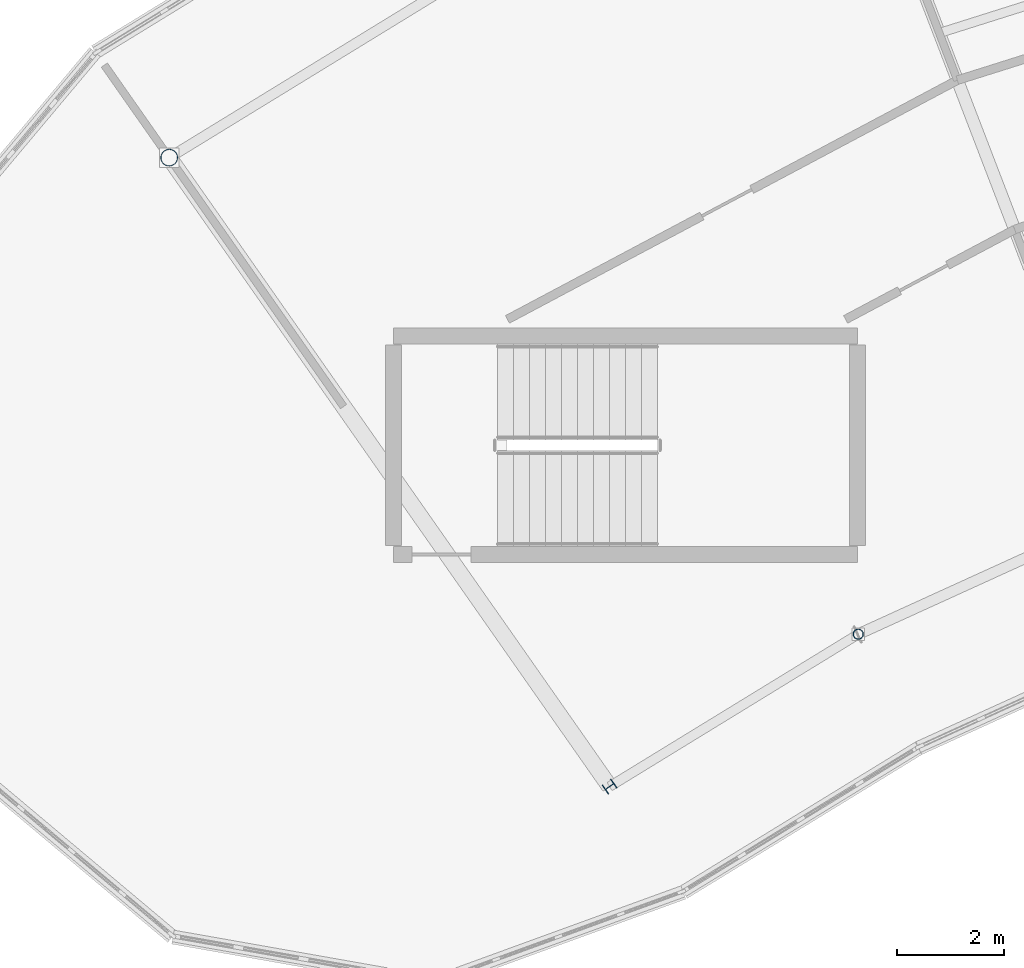
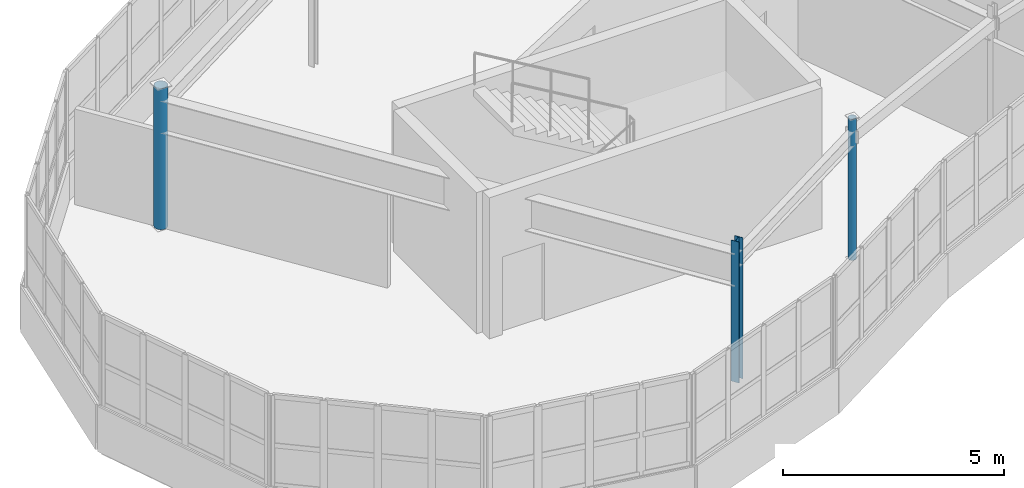
# One storey, part 6 of 65: 3 columns.
"""IFC4 building model written with IfcOpenShell, lengths in metres."""

from ifc_helpers import new_model, si_unit, direction, frame, origin, origin_2d, place, context, subcontext, project, spatial, hollow_circle, i_section, extrude, material, material_profile, profile_set, type_object, element, save


model = new_model("IFC4")

# Units and contexts
model_context = context("Model", 3, precision=1e-05, world=origin(), true_north=direction((0.0, 1.0)))
body_context = subcontext(model_context, "Body", "Model", "MODEL_VIEW")
ifc_project = project(units=[si_unit("LENGTHUNIT", "METRE"), si_unit("AREAUNIT", "SQUARE_METRE"), si_unit("VOLUMEUNIT", "CUBIC_METRE"), si_unit("PLANEANGLEUNIT", "RADIAN"), si_unit("MASSUNIT", "GRAM", prefix="KILO")], contexts=[model_context])

# Site, building, storey
site_placement = place(None, origin())
site = spatial("IfcSite", under=ifc_project, at=site_placement, CompositionType="ELEMENT")
building_placement = place(site_placement, origin())
building = spatial("IfcBuilding", under=site, at=building_placement, Name="Tarnwether General Hospital", CompositionType="ELEMENT")
storey_placement = place(building_placement, frame((0.0, 0.0, 22.199951171875)))
storey = spatial("IfcBuildingStorey", under=building, at=storey_placement, Name="L05", CompositionType="ELEMENT", Elevation=22.199951171875)

# Columns
ifc_material_1 = material(Name="Steel Grade C350L0 (350 MPa)", Category="steel")
ifc_material_profile_1 = material_profile(ifc_material_1, hollow_circle(Radius=0.161865234375, WallThickness=0.0126953125, at=origin_2d()), Name="CHS323.9x12.7")
ifc_profile_set_1 = profile_set([ifc_material_profile_1], Name="Steel Grade C350L0 (350 MPa)")
column_type_1 = type_object("IfcColumnType", Name="COL-26", PredefinedType="COLUMN", material=ifc_profile_set_1)
column_1_placement = place(storey_placement, frame((58.0439453125, 111.493896484375, 0.0), z_axis=(0.0, 0.0, 1.0), x_axis=(-0.573576436351, 0.819152044289, 0.0)))
element("IfcColumn", 1, at=column_1_placement, inside=storey, type_object=column_type_1, Name="Column COLG-L05-5804_11149", PredefinedType="COLUMN", context=body_context, shape_type="SweptSolid", body=[
    extrude(hollow_circle(Radius=0.161865234375, WallThickness=0.0126953125, at=origin_2d()), origin(), (0.0, 0.0, 1.0), 3.900146484375),
])
ifc_material_2 = material(Name="Steel Grade 350 (350 MPa)", Category="steel")
ifc_material_profile_2 = material_profile(ifc_material_2, i_section(OverallWidth=0.202880859375, OverallDepth=0.202880859375, WebThickness=0.00732421875, FlangeThickness=0.010986328125, at=origin_2d()), Name="200UC46.2")
ifc_profile_set_2 = profile_set([ifc_material_profile_2], Name="Steel Grade 350 (350 MPa)")
column_type_2 = type_object("IfcColumnType", Name="COL-27", PredefinedType="COLUMN", material=ifc_profile_set_2)
column_2_placement = place(storey_placement, frame((66.303955078125, 99.697998046875, 0.0), z_axis=(0.0, 0.0, 1.0), x_axis=(-0.573576436351, 0.819152044289, 0.0)))
element("IfcColumn", 2, at=column_2_placement, inside=storey, type_object=column_type_2, Name="Column COLG-L05-6630_9970", PredefinedType="COLUMN", context=body_context, shape_type="SweptSolid", body=[
    extrude(i_section(OverallWidth=0.202880859375, OverallDepth=0.202880859375, WebThickness=0.00732421875, FlangeThickness=0.010986328125, at=origin_2d()), origin(), (0.0, 0.0, 1.0), 3.900146484375),
])
ifc_material_3 = material(Name="Steel Grade C350L0 (350 MPa)", Category="steel")
ifc_material_profile_3 = material_profile(ifc_material_3, hollow_circle(Radius=0.096923828125, WallThickness=0.008056640625, at=origin_2d()), Name="CHS193.7x8.0")
ifc_profile_set_3 = profile_set([ifc_material_profile_3], Name="Steel Grade C350L0 (350 MPa)")
column_type_3 = type_object("IfcColumnType", Name="COL-29", PredefinedType="COLUMN", material=ifc_profile_set_3)
column_3_placement = place(storey_placement, frame((70.968017578125, 102.555908203125, 0.0), z_axis=(0.0, 0.0, 1.0), x_axis=(-0.469471562786, 0.882947592859, 0.0)))
element("IfcColumn", 3, at=column_3_placement, inside=storey, type_object=column_type_3, Name="Column COLG-L05-7097_10256", PredefinedType="COLUMN", context=body_context, shape_type="SweptSolid", body=[
    extrude(hollow_circle(Radius=0.096923828125, WallThickness=0.008056640625, at=origin_2d()), origin(), (0.0, 0.0, 1.0), 3.900146484375),
])

save(model, "model.ifc")
